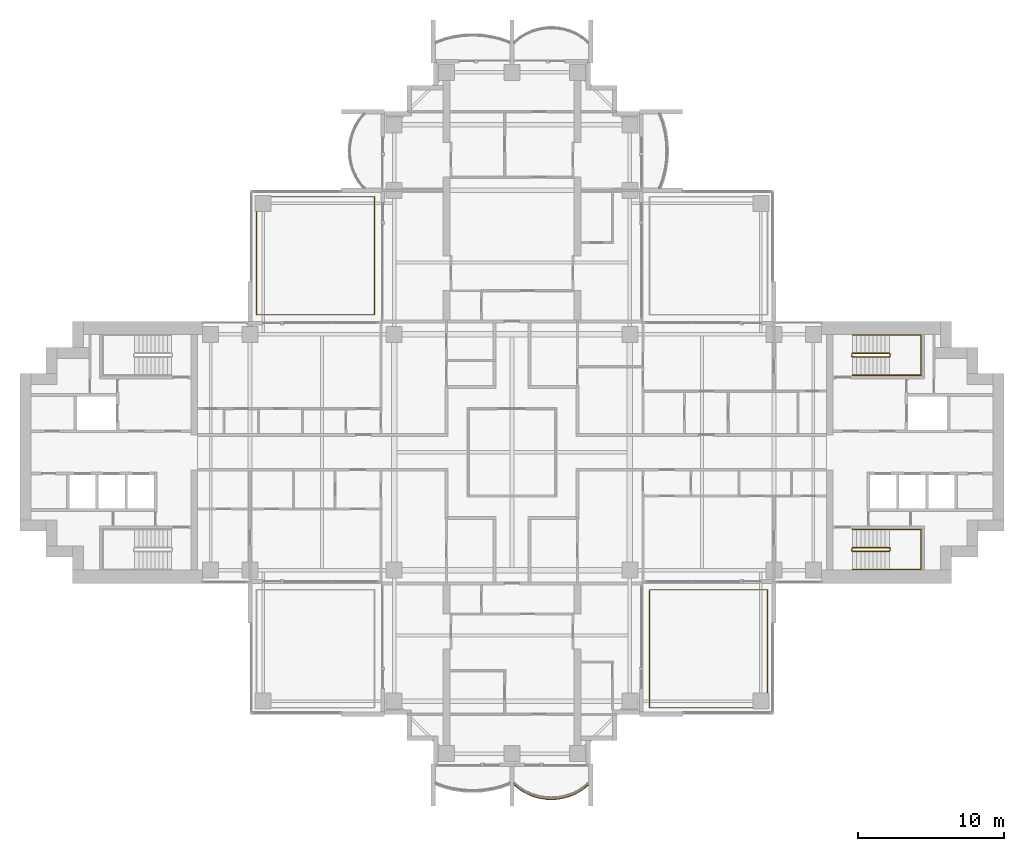
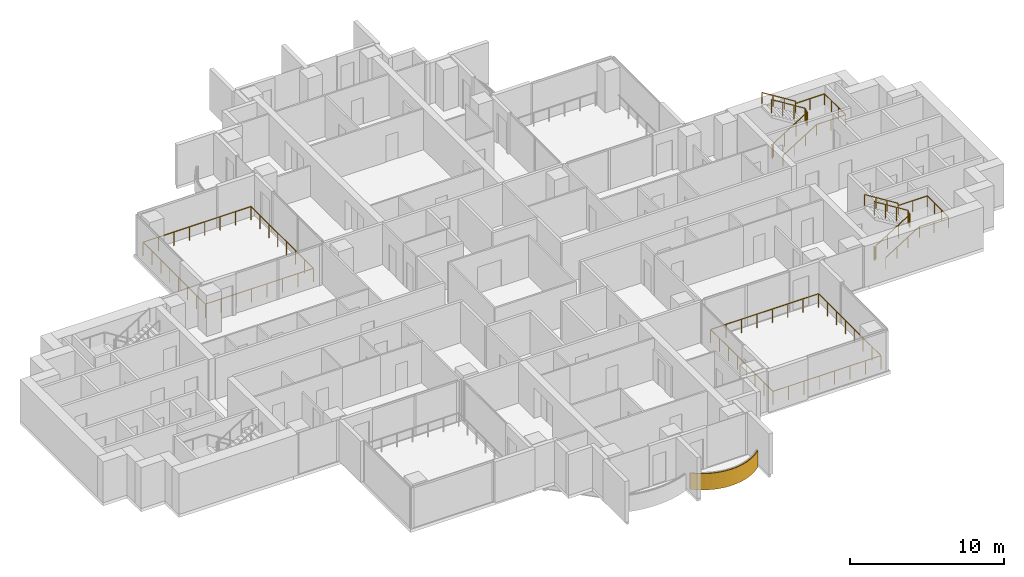
# One storey, part 17 of 18: 6 railings, 1 covering.
"""IFC4 building model written with IfcOpenShell, lengths in metres."""

from ifc_helpers import new_model, si_unit, direction, frame, origin, origin_2d, place, context, subcontext, project, spatial, polyline, rectangle, outline, extrude, material, layer, layer_set, type_object, element, save


model = new_model("IFC4")

# Units and contexts
model_context = context("Model", 3, precision=1e-05, world=origin(), true_north=direction((0.0, 1.0)))
body_context = subcontext(model_context, "Body", "Model", "MODEL_VIEW")
ifc_project = project(units=[si_unit("LENGTHUNIT", "METRE"), si_unit("AREAUNIT", "SQUARE_METRE"), si_unit("VOLUMEUNIT", "CUBIC_METRE"), si_unit("PLANEANGLEUNIT", "RADIAN"), si_unit("MASSUNIT", "GRAM", prefix="KILO")], contexts=[model_context])

# Site, building, storey
site_placement = place(None, origin())
site = spatial("IfcSite", under=ifc_project, at=site_placement, CompositionType="ELEMENT")
building_placement = place(site_placement, origin())
building = spatial("IfcBuilding", under=site, at=building_placement, Name="Perihelion Cross Residences", CompositionType="ELEMENT")
storey_placement = place(building_placement, frame((0.0, 0.0, 130.39990234375)))
storey = spatial("IfcBuildingStorey", under=building, at=storey_placement, Name="L31", CompositionType="ELEMENT", Elevation=130.39990234375)

# Covering
ifc_material_1 = material(Name="Bronze anodised aluminium", Category="aluminium")
ifc_layer = layer(ifc_material_1, 0.070068359375)
ifc_layer_set = layer_set([ifc_layer], Name="Balcony fascia 1300")
covering_type = type_object("IfcCoveringType", Name="Balcony fascia 1300", PredefinedType="CLADDING", material=ifc_layer_set)
covering_placement = place(storey_placement, frame((0.0, 0.0, -0.199951171875)))
element("IfcCovering", 1, at=covering_placement, inside=storey, type_object=covering_type, Name="Fascia BF1 L31 south tip south bay 2", PredefinedType="CLADDING", context=body_context, shape_type="SweptSolid", body=[
    extrude(outline(polyline([(0.53515625, -23.197509765625), (0.96826171875, -23.455078125), (1.401123046875, -23.642578125), (1.833984375, -23.7705078125), (2.26708984375, -23.845458984375), (2.699951171875, -23.8701171875), (3.133056640625, -23.845458984375), (3.56591796875, -23.7705078125), (3.998779296875, -23.642578125), (4.431884765625, -23.455078125), (4.86474609375, -23.197509765625), (5.25, -22.8896484375), (5.25, -22.800048828125), (4.824951171875, -23.14013671875), (4.39990234375, -23.392578125), (3.97509765625, -23.57666015625), (3.550048828125, -23.702392578125), (3.125, -23.77587890625), (2.699951171875, -23.800048828125), (2.27490234375, -23.77587890625), (1.85009765625, -23.702392578125), (1.425048828125, -23.57666015625), (1.0, -23.392578125), (0.574951171875, -23.14013671875), (0.14990234375, -22.800048828125), (0.14990234375, -22.8896484375), (0.53515625, -23.197509765625)])), origin(), (0.0, 0.0, 1.0), 1.300048828125),
])

# Railings
ifc_material_2 = material(Name="Bronze anodised aluminium", Category="aluminium")
railing_type_1 = type_object("IfcRailingType", Name="Balcony guard 1100", PredefinedType="GUARDRAIL", material=ifc_material_2)
railing_1_placement = place(storey_placement, frame((-9.449951171875, 9.449951171875, 0.0)))
element("IfcRailing", 2, at=railing_1_placement, inside=storey, type_object=railing_type_1, Name="Guard GU1 L31 pocket north-west 1", PredefinedType="GUARDRAIL", context=body_context, shape_type="SweptSolid", body=[
    extrude(rectangle(XDim=0.048095703125, YDim=0.048095703125, at=origin_2d()), frame((0.0, 0.0, 1.076171875), z_axis=(-1.0, 0.0, 0.0), x_axis=(0.0, -1.0, 0.0)), (0.0, 0.0, 1.0), 8.10009765625),
    extrude(rectangle(XDim=0.048095703125, YDim=0.048095703125, at=origin_2d()), frame((-8.10009765625, 0.0, 1.076171875), z_axis=(0.0, 1.0, 0.0), x_axis=(-1.0, 0.0, 0.0)), (0.0, 0.0, 1.0), 8.10009765625),
    extrude(rectangle(XDim=0.048095703125, YDim=0.048095703125, at=origin_2d()), frame((-8.10009765625, 8.10009765625, 1.076171875), z_axis=(1.0, 0.0, 0.0), x_axis=(0.0, 1.0, 0.0)), (0.0, 0.0, 1.0), 8.10009765625),
    extrude(rectangle(XDim=0.048095703125, YDim=0.048095703125, at=origin_2d()), frame((0.0, 8.10009765625, 1.076171875), z_axis=(0.0, -1.0, 0.0), x_axis=(1.0, 0.0, 0.0)), (0.0, 0.0, 1.0), 8.10009765625),
    extrude(rectangle(XDim=0.0419921875, YDim=0.0419921875, at=origin_2d()), origin(), (0.0, 0.0, 1.0), 1.052001953125),
    extrude(rectangle(XDim=0.0419921875, YDim=0.0419921875, at=origin_2d()), frame((-1.1572265625, 0.0, 0.0)), (0.0, 0.0, 1.0), 1.052001953125),
    extrude(rectangle(XDim=0.0419921875, YDim=0.0419921875, at=origin_2d()), frame((-2.314208984375, 0.0, 0.0)), (0.0, 0.0, 1.0), 1.052001953125),
    extrude(rectangle(XDim=0.0419921875, YDim=0.0419921875, at=origin_2d()), frame((-3.471435546875, 0.0, 0.0)), (0.0, 0.0, 1.0), 1.052001953125),
    extrude(rectangle(XDim=0.0419921875, YDim=0.0419921875, at=origin_2d()), frame((-4.628662109375, 0.0, 0.0)), (0.0, 0.0, 1.0), 1.052001953125),
    extrude(rectangle(XDim=0.0419921875, YDim=0.0419921875, at=origin_2d()), frame((-5.785888671875, 0.0, 0.0)), (0.0, 0.0, 1.0), 1.052001953125),
    extrude(rectangle(XDim=0.0419921875, YDim=0.0419921875, at=origin_2d()), frame((-6.94287109375, 0.0, 0.0)), (0.0, 0.0, 1.0), 1.052001953125),
    extrude(rectangle(XDim=0.0419921875, YDim=0.0419921875, at=origin_2d()), frame((-8.10009765625, 0.0, 0.0)), (0.0, 0.0, 1.0), 1.052001953125),
    extrude(rectangle(XDim=0.0419921875, YDim=0.0419921875, at=origin_2d()), frame((-8.10009765625, 1.1572265625, 0.0)), (0.0, 0.0, 1.0), 1.052001953125),
    extrude(rectangle(XDim=0.0419921875, YDim=0.0419921875, at=origin_2d()), frame((-8.10009765625, 2.314208984375, 0.0)), (0.0, 0.0, 1.0), 1.052001953125),
    extrude(rectangle(XDim=0.0419921875, YDim=0.0419921875, at=origin_2d()), frame((-8.10009765625, 3.471435546875, 0.0)), (0.0, 0.0, 1.0), 1.052001953125),
    extrude(rectangle(XDim=0.0419921875, YDim=0.0419921875, at=origin_2d()), frame((-8.10009765625, 4.628662109375, 0.0)), (0.0, 0.0, 1.0), 1.052001953125),
    extrude(rectangle(XDim=0.0419921875, YDim=0.0419921875, at=origin_2d()), frame((-8.10009765625, 5.785888671875, 0.0)), (0.0, 0.0, 1.0), 1.052001953125),
    extrude(rectangle(XDim=0.0419921875, YDim=0.0419921875, at=origin_2d()), frame((-8.10009765625, 6.94287109375, 0.0)), (0.0, 0.0, 1.0), 1.052001953125),
    extrude(rectangle(XDim=0.0419921875, YDim=0.0419921875, at=origin_2d()), frame((-8.10009765625, 8.10009765625, 0.0)), (0.0, 0.0, 1.0), 1.052001953125),
    extrude(rectangle(XDim=0.0419921875, YDim=0.0419921875, at=origin_2d()), frame((-6.94287109375, 8.10009765625, 0.0)), (0.0, 0.0, 1.0), 1.052001953125),
    extrude(rectangle(XDim=0.0419921875, YDim=0.0419921875, at=origin_2d()), frame((-5.785888671875, 8.10009765625, 0.0)), (0.0, 0.0, 1.0), 1.052001953125),
    extrude(rectangle(XDim=0.0419921875, YDim=0.0419921875, at=origin_2d()), frame((-4.628662109375, 8.10009765625, 0.0)), (0.0, 0.0, 1.0), 1.052001953125),
    extrude(rectangle(XDim=0.0419921875, YDim=0.0419921875, at=origin_2d()), frame((-3.471435546875, 8.10009765625, 0.0)), (0.0, 0.0, 1.0), 1.052001953125),
    extrude(rectangle(XDim=0.0419921875, YDim=0.0419921875, at=origin_2d()), frame((-2.314208984375, 8.10009765625, 0.0)), (0.0, 0.0, 1.0), 1.052001953125),
    extrude(rectangle(XDim=0.0419921875, YDim=0.0419921875, at=origin_2d()), frame((-1.1572265625, 8.10009765625, 0.0)), (0.0, 0.0, 1.0), 1.052001953125),
    extrude(rectangle(XDim=0.0419921875, YDim=0.0419921875, at=origin_2d()), frame((0.0, 8.10009765625, 0.0)), (0.0, 0.0, 1.0), 1.052001953125),
    extrude(rectangle(XDim=0.0419921875, YDim=0.0419921875, at=origin_2d()), frame((0.0, 6.94287109375, 0.0)), (0.0, 0.0, 1.0), 1.052001953125),
    extrude(rectangle(XDim=0.0419921875, YDim=0.0419921875, at=origin_2d()), frame((0.0, 5.785888671875, 0.0)), (0.0, 0.0, 1.0), 1.052001953125),
    extrude(rectangle(XDim=0.0419921875, YDim=0.0419921875, at=origin_2d()), frame((0.0, 4.628662109375, 0.0)), (0.0, 0.0, 1.0), 1.052001953125),
    extrude(rectangle(XDim=0.0419921875, YDim=0.0419921875, at=origin_2d()), frame((0.0, 3.471435546875, 0.0)), (0.0, 0.0, 1.0), 1.052001953125),
    extrude(rectangle(XDim=0.0419921875, YDim=0.0419921875, at=origin_2d()), frame((0.0, 2.314208984375, 0.0)), (0.0, 0.0, 1.0), 1.052001953125),
    extrude(rectangle(XDim=0.0419921875, YDim=0.0419921875, at=origin_2d()), frame((0.0, 1.1572265625, 0.0)), (0.0, 0.0, 1.0), 1.052001953125),
])
railing_2_placement = place(storey_placement, frame((17.550048828125, -17.550048828125, 0.0)))
element("IfcRailing", 3, at=railing_2_placement, inside=storey, type_object=railing_type_1, Name="Guard GU1 L31 pocket south-east 1", PredefinedType="GUARDRAIL", context=body_context, shape_type="SweptSolid", body=[
    extrude(rectangle(XDim=0.048095703125, YDim=0.048095703125, at=origin_2d()), frame((0.0, 0.0, 1.076171875), z_axis=(-1.0, 0.0, 0.0), x_axis=(0.0, -1.0, 0.0)), (0.0, 0.0, 1.0), 8.10009765625),
    extrude(rectangle(XDim=0.048095703125, YDim=0.048095703125, at=origin_2d()), frame((-8.10009765625, 0.0, 1.076171875), z_axis=(0.0, 1.0, 0.0), x_axis=(-1.0, 0.0, 0.0)), (0.0, 0.0, 1.0), 8.10009765625),
    extrude(rectangle(XDim=0.048095703125, YDim=0.048095703125, at=origin_2d()), frame((-8.10009765625, 8.10009765625, 1.076171875), z_axis=(1.0, 0.0, 0.0), x_axis=(0.0, 1.0, 0.0)), (0.0, 0.0, 1.0), 8.10009765625),
    extrude(rectangle(XDim=0.048095703125, YDim=0.048095703125, at=origin_2d()), frame((0.0, 8.10009765625, 1.076171875), z_axis=(0.0, -1.0, 0.0), x_axis=(1.0, 0.0, 0.0)), (0.0, 0.0, 1.0), 8.10009765625),
    extrude(rectangle(XDim=0.0419921875, YDim=0.0419921875, at=origin_2d()), origin(), (0.0, 0.0, 1.0), 1.052001953125),
    extrude(rectangle(XDim=0.0419921875, YDim=0.0419921875, at=origin_2d()), frame((-1.1572265625, 0.0, 0.0)), (0.0, 0.0, 1.0), 1.052001953125),
    extrude(rectangle(XDim=0.0419921875, YDim=0.0419921875, at=origin_2d()), frame((-2.314208984375, 0.0, 0.0)), (0.0, 0.0, 1.0), 1.052001953125),
    extrude(rectangle(XDim=0.0419921875, YDim=0.0419921875, at=origin_2d()), frame((-3.471435546875, 0.0, 0.0)), (0.0, 0.0, 1.0), 1.052001953125),
    extrude(rectangle(XDim=0.0419921875, YDim=0.0419921875, at=origin_2d()), frame((-4.628662109375, 0.0, 0.0)), (0.0, 0.0, 1.0), 1.052001953125),
    extrude(rectangle(XDim=0.0419921875, YDim=0.0419921875, at=origin_2d()), frame((-5.785888671875, 0.0, 0.0)), (0.0, 0.0, 1.0), 1.052001953125),
    extrude(rectangle(XDim=0.0419921875, YDim=0.0419921875, at=origin_2d()), frame((-6.94287109375, 0.0, 0.0)), (0.0, 0.0, 1.0), 1.052001953125),
    extrude(rectangle(XDim=0.0419921875, YDim=0.0419921875, at=origin_2d()), frame((-8.10009765625, 0.0, 0.0)), (0.0, 0.0, 1.0), 1.052001953125),
    extrude(rectangle(XDim=0.0419921875, YDim=0.0419921875, at=origin_2d()), frame((-8.10009765625, 1.1572265625, 0.0)), (0.0, 0.0, 1.0), 1.052001953125),
    extrude(rectangle(XDim=0.0419921875, YDim=0.0419921875, at=origin_2d()), frame((-8.10009765625, 2.314208984375, 0.0)), (0.0, 0.0, 1.0), 1.052001953125),
    extrude(rectangle(XDim=0.0419921875, YDim=0.0419921875, at=origin_2d()), frame((-8.10009765625, 3.471435546875, 0.0)), (0.0, 0.0, 1.0), 1.052001953125),
    extrude(rectangle(XDim=0.0419921875, YDim=0.0419921875, at=origin_2d()), frame((-8.10009765625, 4.628662109375, 0.0)), (0.0, 0.0, 1.0), 1.052001953125),
    extrude(rectangle(XDim=0.0419921875, YDim=0.0419921875, at=origin_2d()), frame((-8.10009765625, 5.785888671875, 0.0)), (0.0, 0.0, 1.0), 1.052001953125),
    extrude(rectangle(XDim=0.0419921875, YDim=0.0419921875, at=origin_2d()), frame((-8.10009765625, 6.94287109375, 0.0)), (0.0, 0.0, 1.0), 1.052001953125),
    extrude(rectangle(XDim=0.0419921875, YDim=0.0419921875, at=origin_2d()), frame((-8.10009765625, 8.10009765625, 0.0)), (0.0, 0.0, 1.0), 1.052001953125),
    extrude(rectangle(XDim=0.0419921875, YDim=0.0419921875, at=origin_2d()), frame((-6.94287109375, 8.10009765625, 0.0)), (0.0, 0.0, 1.0), 1.052001953125),
    extrude(rectangle(XDim=0.0419921875, YDim=0.0419921875, at=origin_2d()), frame((-5.785888671875, 8.10009765625, 0.0)), (0.0, 0.0, 1.0), 1.052001953125),
    extrude(rectangle(XDim=0.0419921875, YDim=0.0419921875, at=origin_2d()), frame((-4.628662109375, 8.10009765625, 0.0)), (0.0, 0.0, 1.0), 1.052001953125),
    extrude(rectangle(XDim=0.0419921875, YDim=0.0419921875, at=origin_2d()), frame((-3.471435546875, 8.10009765625, 0.0)), (0.0, 0.0, 1.0), 1.052001953125),
    extrude(rectangle(XDim=0.0419921875, YDim=0.0419921875, at=origin_2d()), frame((-2.314208984375, 8.10009765625, 0.0)), (0.0, 0.0, 1.0), 1.052001953125),
    extrude(rectangle(XDim=0.0419921875, YDim=0.0419921875, at=origin_2d()), frame((-1.1572265625, 8.10009765625, 0.0)), (0.0, 0.0, 1.0), 1.052001953125),
    extrude(rectangle(XDim=0.0419921875, YDim=0.0419921875, at=origin_2d()), frame((0.0, 8.10009765625, 0.0)), (0.0, 0.0, 1.0), 1.052001953125),
    extrude(rectangle(XDim=0.0419921875, YDim=0.0419921875, at=origin_2d()), frame((0.0, 6.94287109375, 0.0)), (0.0, 0.0, 1.0), 1.052001953125),
    extrude(rectangle(XDim=0.0419921875, YDim=0.0419921875, at=origin_2d()), frame((0.0, 5.785888671875, 0.0)), (0.0, 0.0, 1.0), 1.052001953125),
    extrude(rectangle(XDim=0.0419921875, YDim=0.0419921875, at=origin_2d()), frame((0.0, 4.628662109375, 0.0)), (0.0, 0.0, 1.0), 1.052001953125),
    extrude(rectangle(XDim=0.0419921875, YDim=0.0419921875, at=origin_2d()), frame((0.0, 3.471435546875, 0.0)), (0.0, 0.0, 1.0), 1.052001953125),
    extrude(rectangle(XDim=0.0419921875, YDim=0.0419921875, at=origin_2d()), frame((0.0, 2.314208984375, 0.0)), (0.0, 0.0, 1.0), 1.052001953125),
    extrude(rectangle(XDim=0.0419921875, YDim=0.0419921875, at=origin_2d()), frame((0.0, 1.1572265625, 0.0)), (0.0, 0.0, 1.0), 1.052001953125),
])
ifc_material_3 = material(Name="Stainless steel", Category="steel")
railing_type_2 = type_object("IfcRailingType", Name="Stair guard 1100", PredefinedType="GUARDRAIL", material=ifc_material_3)
railing_3_placement = place(storey_placement, frame((23.35009765625, 6.75, 0.0)))
element("IfcRailing", 4, at=railing_3_placement, inside=storey, type_object=railing_type_2, Name="L31 ST-E1 stair guard 1", PredefinedType="GUARDRAIL", context=body_context, shape_type="SweptSolid", body=[
    extrude(rectangle(XDim=0.048095703125, YDim=0.048095703125, at=origin_2d()), frame((0.0, 0.0, 1.076171875), z_axis=(0.0, -1.0, 0.0), x_axis=(1.0, 0.0, 0.0)), (0.0, 0.0, 1.0), 0.14990234375),
    extrude(rectangle(XDim=0.048095703125, YDim=0.048095703125, at=origin_2d()), frame((0.0, -0.14990234375, 1.076171875), z_axis=(0.263862480399, -0.265155923931, 0.927399011991), x_axis=(0.708833529934, 0.705375805398, 0.0)), (0.0, 0.0, 1.0), 0.188720703125),
    extrude(rectangle(XDim=0.048095703125, YDim=0.048095703125, at=origin_2d()), frame((0.0498046875, -0.199951171875, 1.2509765625), z_axis=(0.848007534815, 0.0, 0.529984170421), x_axis=(0.0, 1.0, 0.0)), (0.0, 0.0, 1.0), 2.9716796875),
    extrude(rectangle(XDim=0.048095703125, YDim=0.048095703125, at=origin_2d()), frame((2.56982421875, -0.199951171875, 2.826171875), z_axis=(0.707106781187, 0.707106781187, 0.0), x_axis=(-0.707106781187, 0.707106781187, 0.0)), (0.0, 0.0, 1.0), 0.07080078125),
    extrude(rectangle(XDim=0.048095703125, YDim=0.048095703125, at=origin_2d()), frame((2.619873046875, -0.14990234375, 2.826171875), z_axis=(0.0, 1.0, 0.0), x_axis=(-1.0, 0.0, 0.0)), (0.0, 0.0, 1.0), 0.14990234375),
    extrude(rectangle(XDim=0.048095703125, YDim=0.048095703125, at=origin_2d()), frame((2.619873046875, 0.0, 2.826171875), z_axis=(-0.265065253269, 0.265065253269, 0.927081885822), x_axis=(-0.707106781187, -0.707106781187, 0.0)), (0.0, 0.0, 1.0), 0.188720703125),
    extrude(rectangle(XDim=0.048095703125, YDim=0.048095703125, at=origin_2d()), frame((2.56982421875, 0.050048828125, 3.0009765625), z_axis=(-0.848007534815, 0.0, 0.529984170421), x_axis=(0.0, -1.0, 0.0)), (0.0, 0.0, 1.0), 2.9716796875),
    extrude(rectangle(XDim=0.0419921875, YDim=0.0419921875, at=origin_2d()), origin(), (0.0, 0.0, 1.0), 1.052001953125),
    extrude(rectangle(XDim=0.0419921875, YDim=0.0419921875, at=origin_2d()), frame((0.0, -0.14990234375, 0.0)), (0.0, 0.0, 1.0), 1.052001953125),
    extrude(rectangle(XDim=0.0419921875, YDim=0.0419921875, at=origin_2d()), frame((0.0498046875, -0.199951171875, 0.175048828125)), (0.0, 0.0, 1.0), 1.052001953125),
    extrude(rectangle(XDim=0.0419921875, YDim=0.0419921875, at=origin_2d()), frame((0.889892578125, -0.199951171875, 0.699951171875)), (0.0, 0.0, 1.0), 1.052001953125),
    extrude(rectangle(XDim=0.0419921875, YDim=0.0419921875, at=origin_2d()), frame((1.729736328125, -0.199951171875, 1.22509765625)), (0.0, 0.0, 1.0), 1.052001953125),
    extrude(rectangle(XDim=0.0419921875, YDim=0.0419921875, at=origin_2d()), frame((2.56982421875, -0.199951171875, 1.75)), (0.0, 0.0, 1.0), 1.052001953125),
    extrude(rectangle(XDim=0.0419921875, YDim=0.0419921875, at=origin_2d()), frame((2.619873046875, -0.14990234375, 1.75)), (0.0, 0.0, 1.0), 1.052001953125),
    extrude(rectangle(XDim=0.0419921875, YDim=0.0419921875, at=origin_2d()), frame((2.619873046875, 0.0, 1.75)), (0.0, 0.0, 1.0), 1.052001953125),
    extrude(rectangle(XDim=0.0419921875, YDim=0.0419921875, at=origin_2d()), frame((2.56982421875, 0.050048828125, 1.925048828125)), (0.0, 0.0, 1.0), 1.052001953125),
    extrude(rectangle(XDim=0.0419921875, YDim=0.0419921875, at=origin_2d()), frame((1.729736328125, 0.050048828125, 2.449951171875)), (0.0, 0.0, 1.0), 1.052001953125),
    extrude(rectangle(XDim=0.0419921875, YDim=0.0419921875, at=origin_2d()), frame((0.889892578125, 0.050048828125, 2.97509765625)), (0.0, 0.0, 1.0), 1.052001953125),
    extrude(rectangle(XDim=0.0419921875, YDim=0.0419921875, at=origin_2d()), frame((0.0498046875, 0.050048828125, 3.5)), (0.0, 0.0, 1.0), 1.052001953125),
])
railing_4_placement = place(storey_placement, frame((23.35009765625, -6.60009765625, 0.0)))
element("IfcRailing", 5, at=railing_4_placement, inside=storey, type_object=railing_type_2, Name="L31 ST-E2 stair guard 1", PredefinedType="GUARDRAIL", context=body_context, shape_type="SweptSolid", body=[
    extrude(rectangle(XDim=0.048095703125, YDim=0.048095703125, at=origin_2d()), frame((0.0, 0.0, 1.076171875), z_axis=(0.0, -1.0, 0.0), x_axis=(1.0, 0.0, 0.0)), (0.0, 0.0, 1.0), 0.14990234375),
    extrude(rectangle(XDim=0.048095703125, YDim=0.048095703125, at=origin_2d()), frame((0.0, -0.14990234375, 1.076171875), z_axis=(0.263862480399, -0.265155923931, 0.927399011991), x_axis=(0.708833529934, 0.705375805398, 0.0)), (0.0, 0.0, 1.0), 0.188720703125),
    extrude(rectangle(XDim=0.048095703125, YDim=0.048095703125, at=origin_2d()), frame((0.0498046875, -0.199951171875, 1.2509765625), z_axis=(0.848007534815, 0.0, 0.529984170421), x_axis=(0.0, 1.0, 0.0)), (0.0, 0.0, 1.0), 2.9716796875),
    extrude(rectangle(XDim=0.048095703125, YDim=0.048095703125, at=origin_2d()), frame((2.56982421875, -0.199951171875, 2.826171875), z_axis=(0.707106781187, 0.707106781187, 0.0), x_axis=(-0.707106781187, 0.707106781187, 0.0)), (0.0, 0.0, 1.0), 0.07080078125),
    extrude(rectangle(XDim=0.048095703125, YDim=0.048095703125, at=origin_2d()), frame((2.619873046875, -0.14990234375, 2.826171875), z_axis=(0.0, 1.0, 0.0), x_axis=(-1.0, 0.0, 0.0)), (0.0, 0.0, 1.0), 0.14990234375),
    extrude(rectangle(XDim=0.048095703125, YDim=0.048095703125, at=origin_2d()), frame((2.619873046875, 0.0, 2.826171875), z_axis=(-0.265065253269, 0.265065253269, 0.927081885822), x_axis=(-0.707106781187, -0.707106781187, 0.0)), (0.0, 0.0, 1.0), 0.188720703125),
    extrude(rectangle(XDim=0.048095703125, YDim=0.048095703125, at=origin_2d()), frame((2.56982421875, 0.050048828125, 3.0009765625), z_axis=(-0.848007534815, 0.0, 0.529984170421), x_axis=(0.0, -1.0, 0.0)), (0.0, 0.0, 1.0), 2.9716796875),
    extrude(rectangle(XDim=0.0419921875, YDim=0.0419921875, at=origin_2d()), origin(), (0.0, 0.0, 1.0), 1.052001953125),
    extrude(rectangle(XDim=0.0419921875, YDim=0.0419921875, at=origin_2d()), frame((0.0, -0.14990234375, 0.0)), (0.0, 0.0, 1.0), 1.052001953125),
    extrude(rectangle(XDim=0.0419921875, YDim=0.0419921875, at=origin_2d()), frame((0.0498046875, -0.199951171875, 0.175048828125)), (0.0, 0.0, 1.0), 1.052001953125),
    extrude(rectangle(XDim=0.0419921875, YDim=0.0419921875, at=origin_2d()), frame((0.889892578125, -0.199951171875, 0.699951171875)), (0.0, 0.0, 1.0), 1.052001953125),
    extrude(rectangle(XDim=0.0419921875, YDim=0.0419921875, at=origin_2d()), frame((1.729736328125, -0.199951171875, 1.22509765625)), (0.0, 0.0, 1.0), 1.052001953125),
    extrude(rectangle(XDim=0.0419921875, YDim=0.0419921875, at=origin_2d()), frame((2.56982421875, -0.199951171875, 1.75)), (0.0, 0.0, 1.0), 1.052001953125),
    extrude(rectangle(XDim=0.0419921875, YDim=0.0419921875, at=origin_2d()), frame((2.619873046875, -0.14990234375, 1.75)), (0.0, 0.0, 1.0), 1.052001953125),
    extrude(rectangle(XDim=0.0419921875, YDim=0.0419921875, at=origin_2d()), frame((2.619873046875, 0.0, 1.75)), (0.0, 0.0, 1.0), 1.052001953125),
    extrude(rectangle(XDim=0.0419921875, YDim=0.0419921875, at=origin_2d()), frame((2.56982421875, 0.050048828125, 1.925048828125)), (0.0, 0.0, 1.0), 1.052001953125),
    extrude(rectangle(XDim=0.0419921875, YDim=0.0419921875, at=origin_2d()), frame((1.729736328125, 0.050048828125, 2.449951171875)), (0.0, 0.0, 1.0), 1.052001953125),
    extrude(rectangle(XDim=0.0419921875, YDim=0.0419921875, at=origin_2d()), frame((0.889892578125, 0.050048828125, 2.97509765625)), (0.0, 0.0, 1.0), 1.052001953125),
    extrude(rectangle(XDim=0.0419921875, YDim=0.0419921875, at=origin_2d()), frame((0.0498046875, 0.050048828125, 3.5)), (0.0, 0.0, 1.0), 1.052001953125),
])
ifc_material_4 = material(Name="Stainless steel", Category="steel")
railing_type_3 = type_object("IfcRailingType", Name="Stair handrail 900", PredefinedType="HANDRAIL", material=ifc_material_4)
railing_5_placement = place(storey_placement, frame((23.39990234375, 5.300048828125, 0.175048828125)))
element("IfcRailing", 6, at=railing_5_placement, inside=storey, type_object=railing_type_3, Name="L31 ST-E1 stair handrail 1", PredefinedType="HANDRAIL", context=body_context, shape_type="SweptSolid", body=[
    extrude(rectangle(XDim=0.048095703125, YDim=0.048095703125, at=origin_2d()), frame((0.0, 0.0, 0.8759765625), z_axis=(0.848007534815, 0.0, 0.529984170421), x_axis=(0.0, 1.0, 0.0)), (0.0, 0.0, 1.0), 2.9716796875),
    extrude(rectangle(XDim=0.048095703125, YDim=0.048095703125, at=origin_2d()), frame((2.52001953125, 0.0, 2.45068359375), z_axis=(1.0, 0.0, 0.0), x_axis=(0.0, 1.0, 0.0)), (0.0, 0.0, 1.0), 2.18017578125),
    extrude(rectangle(XDim=0.048095703125, YDim=0.048095703125, at=origin_2d()), frame((4.7001953125, 0.0, 2.45068359375), z_axis=(0.0, 1.0, 0.0), x_axis=(-1.0, 0.0, 0.0)), (0.0, 0.0, 1.0), 2.75),
    extrude(rectangle(XDim=0.048095703125, YDim=0.048095703125, at=origin_2d()), frame((4.7001953125, 2.75, 2.45068359375), z_axis=(-1.0, 0.0, 0.0), x_axis=(0.0, -1.0, 0.0)), (0.0, 0.0, 1.0), 2.18017578125),
    extrude(rectangle(XDim=0.048095703125, YDim=0.048095703125, at=origin_2d()), frame((2.52001953125, 2.75, 2.45068359375), z_axis=(0.0, 0.0, 1.0), x_axis=(1.0, 0.0, 0.0)), (0.0, 0.0, 1.0), 0.175048828125),
    extrude(rectangle(XDim=0.048095703125, YDim=0.048095703125, at=origin_2d()), frame((2.52001953125, 2.75, 2.6259765625), z_axis=(-0.848007534815, 0.0, 0.529984170421), x_axis=(0.0, -1.0, 0.0)), (0.0, 0.0, 1.0), 2.9716796875),
    extrude(rectangle(XDim=0.0419921875, YDim=0.0419921875, at=origin_2d()), origin(), (0.0, 0.0, 1.0), 0.851806640625),
    extrude(rectangle(XDim=0.0419921875, YDim=0.0419921875, at=origin_2d()), frame((0.840087890625, 0.0, 0.52490234375)), (0.0, 0.0, 1.0), 0.851806640625),
    extrude(rectangle(XDim=0.0419921875, YDim=0.0419921875, at=origin_2d()), frame((1.679931640625, 0.0, 1.050048828125)), (0.0, 0.0, 1.0), 0.851806640625),
    extrude(rectangle(XDim=0.0419921875, YDim=0.0419921875, at=origin_2d()), frame((2.52001953125, 0.0, 1.574951171875)), (0.0, 0.0, 1.0), 0.851806640625),
    extrude(rectangle(XDim=0.0419921875, YDim=0.0419921875, at=origin_2d()), frame((3.610107421875, 0.0, 1.574951171875)), (0.0, 0.0, 1.0), 0.851806640625),
    extrude(rectangle(XDim=0.0419921875, YDim=0.0419921875, at=origin_2d()), frame((4.7001953125, 0.0, 1.574951171875)), (0.0, 0.0, 1.0), 0.851806640625),
    extrude(rectangle(XDim=0.0419921875, YDim=0.0419921875, at=origin_2d()), frame((4.7001953125, 0.916748046875, 1.574951171875)), (0.0, 0.0, 1.0), 0.851806640625),
    extrude(rectangle(XDim=0.0419921875, YDim=0.0419921875, at=origin_2d()), frame((4.7001953125, 1.833251953125, 1.574951171875)), (0.0, 0.0, 1.0), 0.851806640625),
    extrude(rectangle(XDim=0.0419921875, YDim=0.0419921875, at=origin_2d()), frame((4.7001953125, 2.75, 1.574951171875)), (0.0, 0.0, 1.0), 0.851806640625),
    extrude(rectangle(XDim=0.0419921875, YDim=0.0419921875, at=origin_2d()), frame((3.610107421875, 2.75, 1.574951171875)), (0.0, 0.0, 1.0), 0.851806640625),
    extrude(rectangle(XDim=0.0419921875, YDim=0.0419921875, at=origin_2d()), frame((2.52001953125, 2.75, 1.574951171875)), (0.0, 0.0, 1.0), 0.851806640625),
    extrude(rectangle(XDim=0.0419921875, YDim=0.0419921875, at=origin_2d()), frame((2.52001953125, 2.75, 1.75)), (0.0, 0.0, 1.0), 0.851806640625),
    extrude(rectangle(XDim=0.0419921875, YDim=0.0419921875, at=origin_2d()), frame((1.679931640625, 2.75, 2.27490234375)), (0.0, 0.0, 1.0), 0.851806640625),
    extrude(rectangle(XDim=0.0419921875, YDim=0.0419921875, at=origin_2d()), frame((0.840087890625, 2.75, 2.800048828125)), (0.0, 0.0, 1.0), 0.851806640625),
    extrude(rectangle(XDim=0.0419921875, YDim=0.0419921875, at=origin_2d()), frame((0.0, 2.75, 3.324951171875)), (0.0, 0.0, 1.0), 0.851806640625),
])
railing_6_placement = place(storey_placement, frame((23.39990234375, -8.050048828125, 0.175048828125)))
element("IfcRailing", 7, at=railing_6_placement, inside=storey, type_object=railing_type_3, Name="L31 ST-E2 stair handrail 1", PredefinedType="HANDRAIL", context=body_context, shape_type="SweptSolid", body=[
    extrude(rectangle(XDim=0.048095703125, YDim=0.048095703125, at=origin_2d()), frame((0.0, 0.0, 0.8759765625), z_axis=(0.848007534815, 0.0, 0.529984170421), x_axis=(0.0, 1.0, 0.0)), (0.0, 0.0, 1.0), 2.9716796875),
    extrude(rectangle(XDim=0.048095703125, YDim=0.048095703125, at=origin_2d()), frame((2.52001953125, 0.0, 2.45068359375), z_axis=(1.0, 0.0, 0.0), x_axis=(0.0, 1.0, 0.0)), (0.0, 0.0, 1.0), 2.18017578125),
    extrude(rectangle(XDim=0.048095703125, YDim=0.048095703125, at=origin_2d()), frame((4.7001953125, 0.0, 2.45068359375), z_axis=(0.0, 1.0, 0.0), x_axis=(-1.0, 0.0, 0.0)), (0.0, 0.0, 1.0), 2.75),
    extrude(rectangle(XDim=0.048095703125, YDim=0.048095703125, at=origin_2d()), frame((4.7001953125, 2.75, 2.45068359375), z_axis=(-1.0, 0.0, 0.0), x_axis=(0.0, -1.0, 0.0)), (0.0, 0.0, 1.0), 2.18017578125),
    extrude(rectangle(XDim=0.048095703125, YDim=0.048095703125, at=origin_2d()), frame((2.52001953125, 2.75, 2.45068359375), z_axis=(0.0, 0.0, 1.0), x_axis=(1.0, 0.0, 0.0)), (0.0, 0.0, 1.0), 0.175048828125),
    extrude(rectangle(XDim=0.048095703125, YDim=0.048095703125, at=origin_2d()), frame((2.52001953125, 2.75, 2.6259765625), z_axis=(-0.848007534815, 0.0, 0.529984170421), x_axis=(0.0, -1.0, 0.0)), (0.0, 0.0, 1.0), 2.9716796875),
    extrude(rectangle(XDim=0.0419921875, YDim=0.0419921875, at=origin_2d()), origin(), (0.0, 0.0, 1.0), 0.851806640625),
    extrude(rectangle(XDim=0.0419921875, YDim=0.0419921875, at=origin_2d()), frame((0.840087890625, 0.0, 0.52490234375)), (0.0, 0.0, 1.0), 0.851806640625),
    extrude(rectangle(XDim=0.0419921875, YDim=0.0419921875, at=origin_2d()), frame((1.679931640625, 0.0, 1.050048828125)), (0.0, 0.0, 1.0), 0.851806640625),
    extrude(rectangle(XDim=0.0419921875, YDim=0.0419921875, at=origin_2d()), frame((2.52001953125, 0.0, 1.574951171875)), (0.0, 0.0, 1.0), 0.851806640625),
    extrude(rectangle(XDim=0.0419921875, YDim=0.0419921875, at=origin_2d()), frame((3.610107421875, 0.0, 1.574951171875)), (0.0, 0.0, 1.0), 0.851806640625),
    extrude(rectangle(XDim=0.0419921875, YDim=0.0419921875, at=origin_2d()), frame((4.7001953125, 0.0, 1.574951171875)), (0.0, 0.0, 1.0), 0.851806640625),
    extrude(rectangle(XDim=0.0419921875, YDim=0.0419921875, at=origin_2d()), frame((4.7001953125, 0.916748046875, 1.574951171875)), (0.0, 0.0, 1.0), 0.851806640625),
    extrude(rectangle(XDim=0.0419921875, YDim=0.0419921875, at=origin_2d()), frame((4.7001953125, 1.833251953125, 1.574951171875)), (0.0, 0.0, 1.0), 0.851806640625),
    extrude(rectangle(XDim=0.0419921875, YDim=0.0419921875, at=origin_2d()), frame((4.7001953125, 2.75, 1.574951171875)), (0.0, 0.0, 1.0), 0.851806640625),
    extrude(rectangle(XDim=0.0419921875, YDim=0.0419921875, at=origin_2d()), frame((3.610107421875, 2.75, 1.574951171875)), (0.0, 0.0, 1.0), 0.851806640625),
    extrude(rectangle(XDim=0.0419921875, YDim=0.0419921875, at=origin_2d()), frame((2.52001953125, 2.75, 1.574951171875)), (0.0, 0.0, 1.0), 0.851806640625),
    extrude(rectangle(XDim=0.0419921875, YDim=0.0419921875, at=origin_2d()), frame((2.52001953125, 2.75, 1.75)), (0.0, 0.0, 1.0), 0.851806640625),
    extrude(rectangle(XDim=0.0419921875, YDim=0.0419921875, at=origin_2d()), frame((1.679931640625, 2.75, 2.27490234375)), (0.0, 0.0, 1.0), 0.851806640625),
    extrude(rectangle(XDim=0.0419921875, YDim=0.0419921875, at=origin_2d()), frame((0.840087890625, 2.75, 2.800048828125)), (0.0, 0.0, 1.0), 0.851806640625),
    extrude(rectangle(XDim=0.0419921875, YDim=0.0419921875, at=origin_2d()), frame((0.0, 2.75, 3.324951171875)), (0.0, 0.0, 1.0), 0.851806640625),
])

save(model, "model.ifc")
